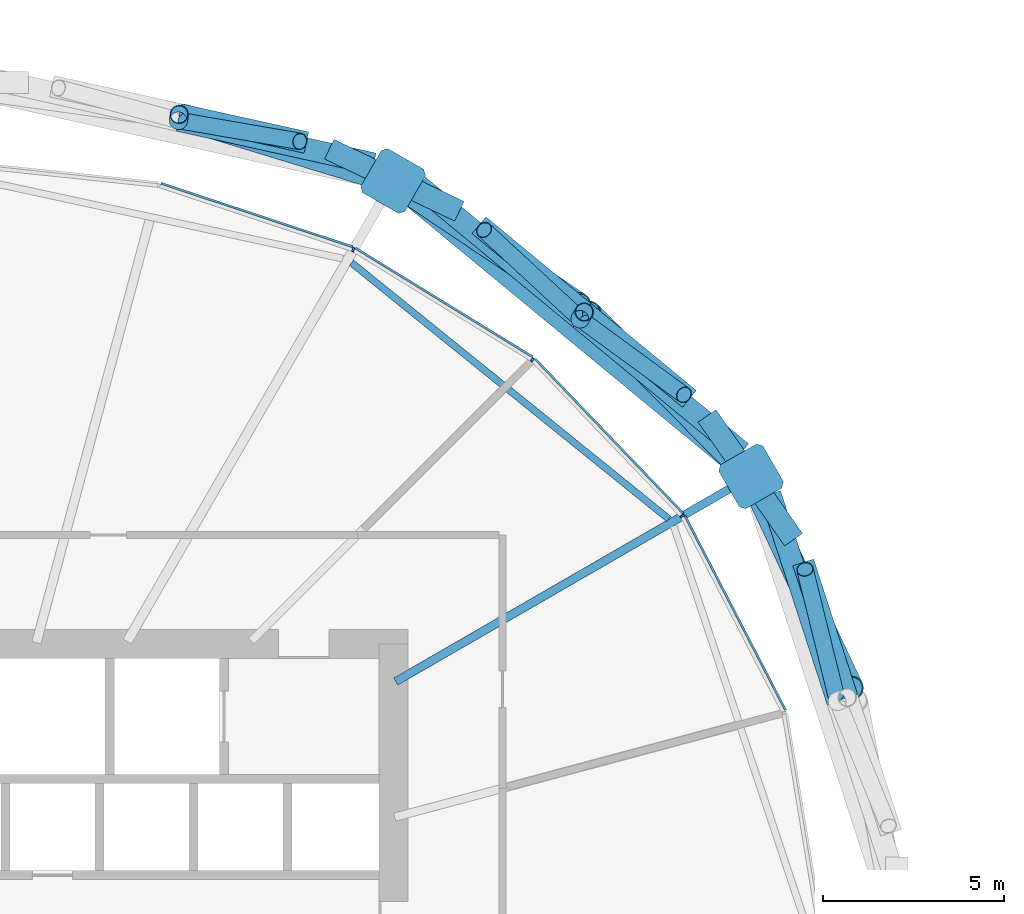
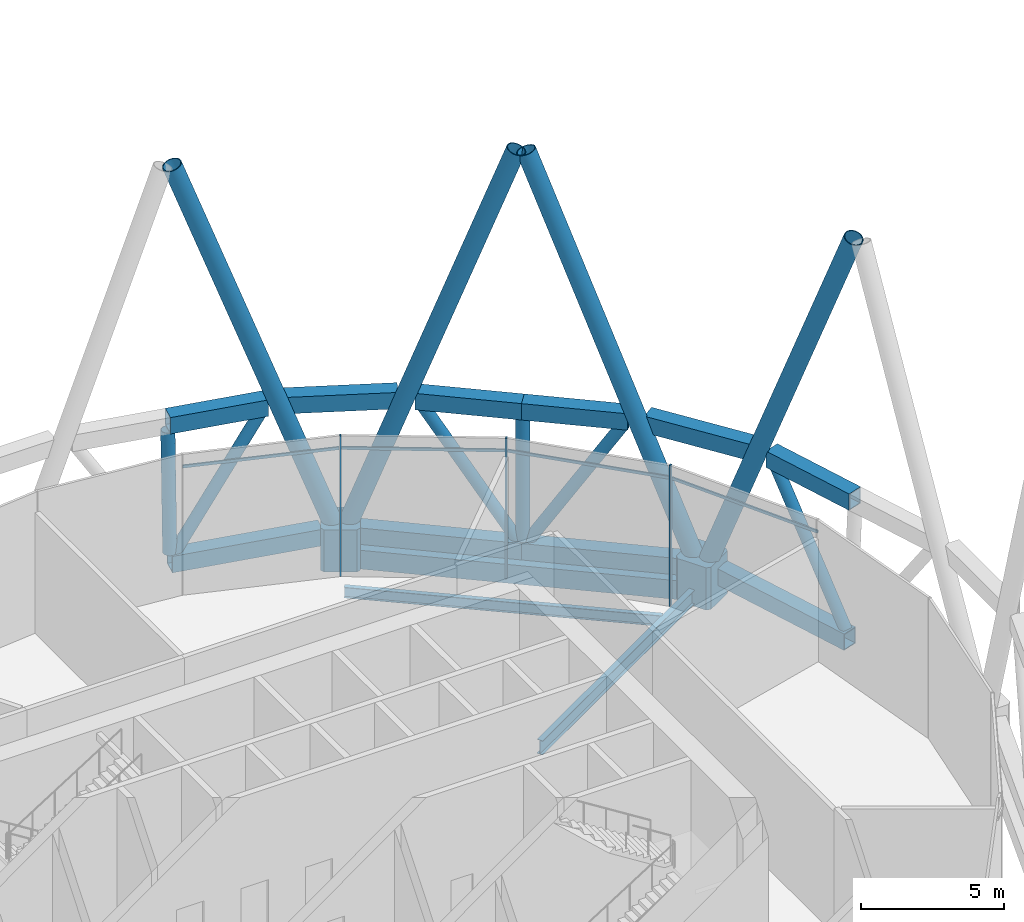
# One storey, part 14 of 33: 29 members, 3 beams, 1 element without a shape of its own.
"""IFC4 building model written with IfcOpenShell, lengths in metres."""

from ifc_helpers import new_model, si_unit, direction, frame, origin, origin_2d, place, context, subcontext, project, spatial, polyline, rectangle, hollow_rectangle, hollow_circle, i_section, outline, extrude, material, material_profile, profile_set, type_object, element, aggregate, save


model = new_model("IFC4")

# Units and contexts
model_context = context("Model", 3, precision=1e-05, world=origin(), true_north=direction((0.0, 1.0)))
body_context = subcontext(model_context, "Body", "Model", "MODEL_VIEW")
ifc_project = project(units=[si_unit("LENGTHUNIT", "METRE"), si_unit("AREAUNIT", "SQUARE_METRE"), si_unit("VOLUMEUNIT", "CUBIC_METRE"), si_unit("PLANEANGLEUNIT", "RADIAN"), si_unit("MASSUNIT", "GRAM", prefix="KILO")], contexts=[model_context])

# Site, building, storey
site_placement = place(None, origin())
site = spatial("IfcSite", under=ifc_project, at=site_placement, CompositionType="ELEMENT")
building_placement = place(site_placement, origin())
building = spatial("IfcBuilding", under=site, at=building_placement, Name="Rimbun Link Towers", CompositionType="ELEMENT")
storey_placement = place(building_placement, frame((0.0, 0.0, 75.60009765625)))
storey = spatial("IfcBuildingStorey", under=building, at=storey_placement, Name="L18", CompositionType="ELEMENT", Elevation=75.60009765625)

# Members
ifc_material_1 = material(Name="Steel S460N", Category="steel")
ifc_material_profile_1 = material_profile(ifc_material_1, hollow_rectangle(XDim=0.60009765625, YDim=0.699951171875, WallThickness=0.034912109375, at=origin_2d()), Name="Belt truss chord BOX 600x700x35")
ifc_profile_set_1 = profile_set([ifc_material_profile_1], Name="Steel S460N")
member_type_1 = type_object("IfcMemberType", Name="Belt truss chord BOX 600x700x35", PredefinedType="CHORD", material=ifc_profile_set_1)
member_1_placement = place(storey_placement, frame((-8.724609375, 10.875, 6.0), z_axis=(-0.57337572411, 0.819292547874, 0.0), x_axis=(-0.819292547874, -0.57337572411, 0.0)))
element("IfcMember", 1, at=member_1_placement, inside=storey, type_object=member_type_1, Name="Belt truss chord T1 L18 top 01", PredefinedType="CHORD", context=body_context, shape_type="SweptSolid", body=[
    extrude(hollow_rectangle(XDim=0.60009765625, YDim=0.699951171875, WallThickness=0.034912109375, at=origin_2d()), origin(), (0.0, 0.0, 1.0), 4.16162109375),
])
member_2_placement = place(storey_placement, frame((-17.9375, 19.927734375, 6.0), z_axis=(-0.902615066125, 0.430448652459, 0.0), x_axis=(-0.430448652459, -0.902615066125, 0.0)))
element("IfcMember", 2, at=member_2_placement, inside=storey, type_object=member_type_1, Name="Belt truss chord T1 L18 top 02", PredefinedType="CHORD", context=body_context, shape_type="SweptSolid", body=[
    extrude(hollow_rectangle(XDim=0.60009765625, YDim=0.699951171875, WallThickness=0.034912109375, at=origin_2d()), origin(), (0.0, 0.0, 1.0), 3.9736328125),
])
member_3_placement = place(storey_placement, frame((-7.51171875, 6.417236328125, 0.18994140625), z_axis=(-0.309075966381, 0.951037353107, 0.0), x_axis=(-0.951037353107, -0.309075966381, 0.0)))
element("IfcMember", 3, at=member_3_placement, inside=storey, type_object=member_type_1, Name="Belt truss chord T1 L18 bottom 01", PredefinedType="CHORD", context=body_context, shape_type="SweptSolid", body=[
    extrude(hollow_rectangle(XDim=0.60009765625, YDim=0.699951171875, WallThickness=0.034912109375, at=origin_2d()), origin(), (0.0, 0.0, 1.0), 6.0087890625),
])
member_4_placement = place(storey_placement, frame((-7.245849609375, 6.521728515625, 6.0), z_axis=(-0.309111447647, 0.951025821381, 0.0), x_axis=(-0.951025821381, -0.309111447647, 0.0)))
element("IfcMember", 4, at=member_4_placement, inside=storey, type_object=member_type_1, Name="Belt truss chord T1 L18 top 13", PredefinedType="CHORD", context=body_context, shape_type="SweptSolid", body=[
    extrude(hollow_rectangle(XDim=0.60009765625, YDim=0.699951171875, WallThickness=0.034912109375, at=origin_2d()), origin(), (0.0, 0.0, 1.0), 3.916015625),
])
member_5_placement = place(storey_placement, frame((-10.154052734375, 13.285888671875, 0.18994140625), z_axis=(-0.771283994621, 0.636491162265, 0.0), x_axis=(-0.636491162265, -0.771283994621, 0.0)))
element("IfcMember", 5, at=member_5_placement, inside=storey, type_object=member_type_1, Name="Belt truss chord T1 L18 bottom 02", PredefinedType="CHORD", context=body_context, shape_type="SweptSolid", body=[
    extrude(hollow_rectangle(XDim=0.60009765625, YDim=0.699951171875, WallThickness=0.034912109375, at=origin_2d()), origin(), (0.0, 0.0, 1.0), 5.7724609375),
])
member_6_placement = place(storey_placement, frame((-14.606201171875, 16.9599609375, 0.18994140625), z_axis=(-0.77126685936, 0.636511925775, 0.0), x_axis=(-0.636511925775, -0.77126685936, 0.0)))
element("IfcMember", 6, at=member_6_placement, inside=storey, type_object=member_type_1, Name="Belt truss chord T1 L18 bottom 03", PredefinedType="CHORD", context=body_context, shape_type="SweptSolid", body=[
    extrude(hollow_rectangle(XDim=0.60009765625, YDim=0.699951171875, WallThickness=0.034912109375, at=origin_2d()), origin(), (0.0, 0.0, 1.0), 5.772216796875),
])
member_7_placement = place(storey_placement, frame((-11.595947265625, 14.75537109375, 6.0), z_axis=(-0.771272091865, 0.636505585451, 0.0), x_axis=(-0.636505585451, -0.771272091865, 0.0)))
element("IfcMember", 7, at=member_7_placement, inside=storey, type_object=member_type_1, Name="Belt truss chord T1 L18 top 14", PredefinedType="CHORD", context=body_context, shape_type="SweptSolid", body=[
    extrude(hollow_rectangle(XDim=0.60009765625, YDim=0.699951171875, WallThickness=0.034912109375, at=origin_2d()), origin(), (0.0, 0.0, 1.0), 3.7607421875),
])
member_8_placement = place(storey_placement, frame((-14.49658203125, 17.149169921875, 6.0), z_axis=(-0.771298390091, 0.636473717795, 0.0), x_axis=(-0.636473717795, -0.771298390091, 0.0)))
element("IfcMember", 8, at=member_8_placement, inside=storey, type_object=member_type_1, Name="Belt truss chord T1 L18 top 15", PredefinedType="CHORD", context=body_context, shape_type="SweptSolid", body=[
    extrude(hollow_rectangle(XDim=0.60009765625, YDim=0.699951171875, WallThickness=0.034912109375, at=origin_2d()), origin(), (0.0, 0.0, 1.0), 3.760986328125),
])
member_9_placement = place(storey_placement, frame((-20.297607421875, 21.23876953125, 0.18994140625), z_axis=(-0.976355546465, 0.216170874279, 0.0), x_axis=(-0.216170874279, -0.976355546465, 0.0)))
element("IfcMember", 9, at=member_9_placement, inside=storey, type_object=member_type_1, Name="Belt truss chord T1 L18 bottom 04", PredefinedType="CHORD", context=body_context, shape_type="SweptSolid", body=[
    extrude(hollow_rectangle(XDim=0.60009765625, YDim=0.699951171875, WallThickness=0.034912109375, at=origin_2d()), origin(), (0.0, 0.0, 1.0), 5.513671875),
])
member_10_placement = place(storey_placement, frame((-22.1552734375, 21.82177734375, 6.0), z_axis=(-0.976356305139, 0.216167447632, 0.0), x_axis=(-0.216167447632, -0.976356305139, 0.0)))
element("IfcMember", 10, at=member_10_placement, inside=storey, type_object=member_type_1, Name="Belt truss chord T1 L18 top 16", PredefinedType="CHORD", context=body_context, shape_type="SweptSolid", body=[
    extrude(hollow_rectangle(XDim=0.60009765625, YDim=0.699951171875, WallThickness=0.034912109375, at=origin_2d()), origin(), (0.0, 0.0, 1.0), 3.591552734375),
])
ifc_material_2 = material(Name="Steel S355J2H", Category="steel")
ifc_material_profile_2 = material_profile(ifc_material_2, hollow_circle(Radius=0.228515625, WallThickness=0.01611328125, at=origin_2d()), Name="Belt truss diagonal CHS 457x16")
ifc_profile_set_2 = profile_set([ifc_material_profile_2], Name="Steel S355J2H")
member_type_2 = type_object("IfcMemberType", Name="Belt truss diagonal CHS 457x16", PredefinedType="BRACE", material=ifc_profile_set_2)
member_11_placement = place(storey_placement, frame((-7.55859375, 6.608154296875, 0.4794921875), z_axis=(-0.134549791341, 0.545227885807, 0.827419425798), x_axis=(-0.970874258335, -0.23958959598, 0.0)))
element("IfcMember", 11, at=member_11_placement, inside=storey, type_object=member_type_2, Name="Belt truss diagonal T1 L18 01", PredefinedType="BRACE", context=body_context, shape_type="SweptSolid", body=[
    extrude(hollow_circle(Radius=0.228515625, WallThickness=0.01611328125, at=origin_2d()), origin(), (0.0, 0.0, 1.0), 6.32177734375),
])
member_12_placement = place(storey_placement, frame((-14.45361328125, 16.84814453125, 0.484375), z_axis=(0.435957741043, -0.319295764311, 0.841422048034), x_axis=(0.590874279334, 0.806763649417, 0.0)))
element("IfcMember", 12, at=member_12_placement, inside=storey, type_object=member_type_2, Name="Belt truss diagonal T1 L18 02", PredefinedType="BRACE", context=body_context, shape_type="SweptSolid", body=[
    extrude(hollow_circle(Radius=0.228515625, WallThickness=0.01611328125, at=origin_2d()), origin(), (0.0, 0.0, 1.0), 6.204833984375),
])
member_13_placement = place(storey_placement, frame((-14.746826171875, 17.090087890625, 0.482666015625), z_axis=(-0.401951302505, 0.371961356102, 0.836707774543), x_axis=(-0.679195869776, -0.733957063103, 0.0)))
element("IfcMember", 13, at=member_13_placement, inside=storey, type_object=member_type_2, Name="Belt truss diagonal T1 L18 03", PredefinedType="BRACE", context=body_context, shape_type="SweptSolid", body=[
    extrude(hollow_circle(Radius=0.228515625, WallThickness=0.01611328125, at=origin_2d()), origin(), (0.0, 0.0, 1.0), 6.243896484375),
])
member_14_placement = place(storey_placement, frame((-25.5, 22.3994140625, 0.48779296875), z_axis=(0.516682153979, -0.089230238491, 0.851514836217), x_axis=(0.170179375016, 0.985413101354, 0.0)))
element("IfcMember", 14, at=member_14_placement, inside=storey, type_object=member_type_2, Name="Belt truss diagonal T1 L18 04", PredefinedType="BRACE", context=body_context, shape_type="SweptSolid", body=[
    extrude(hollow_circle(Radius=0.228515625, WallThickness=0.01611328125, at=origin_2d()), origin(), (0.0, 0.0, 1.0), 6.123291015625),
])
ifc_material_3 = material(Name="Steel S355J2H", Category="steel")
ifc_material_profile_3 = material_profile(ifc_material_3, hollow_circle(Radius=0.25390625, WallThickness=0.02001953125, at=origin_2d()), Name="Belt truss strut CHS 508x20")
ifc_profile_set_3 = profile_set([ifc_material_profile_3], Name="Steel S355J2H")
member_type_3 = type_object("IfcMemberType", Name="Belt truss strut CHS 508x20", PredefinedType="STRUT", material=ifc_profile_set_3)
member_15_placement = place(storey_placement, frame((-14.606201171875, 16.9599609375, 0.539794921875), z_axis=(0.021431822526, 0.036992566721, 0.999085695519), x_axis=(-0.865273365949, 0.501300311369, 0.0)))
element("IfcMember", 15, at=member_15_placement, inside=storey, type_object=member_type_3, Name="Belt truss strut T1 L18 01", PredefinedType="STRUT", context=body_context, shape_type="SweptSolid", body=[
    extrude(hollow_circle(Radius=0.25390625, WallThickness=0.02001953125, at=origin_2d()), origin(), (0.0, 0.0, 1.0), 5.11474609375),
])
member_16_placement = place(storey_placement, frame((-25.680908203125, 22.4306640625, 0.539794921875), z_axis=(0.003724504363, 0.032756538375, 0.999456420891), x_axis=(-0.99359786667, 0.112974684548, 0.0)))
element("IfcMember", 16, at=member_16_placement, inside=storey, type_object=member_type_3, Name="Belt truss strut T1 L18 02", PredefinedType="STRUT", context=body_context, shape_type="SweptSolid", body=[
    extrude(hollow_circle(Radius=0.25390625, WallThickness=0.02001953125, at=origin_2d()), origin(), (0.0, 0.0, 1.0), 5.11279296875),
])

# Curtain wall, members
ifc_material_4 = material(Name="Aluminium 6063-T6 louvre wall", Category="aluminium")
curtain_wall_type = type_object("IfcCurtainWallType", Name="CW6 plant floor louvre wall", PredefinedType="NOTDEFINED", material=ifc_material_4)
curtain_wall_placement = place(storey_placement, origin())
curtain_wall = element("IfcCurtainWall", 17, at=curtain_wall_placement, inside=storey, type_object=curtain_wall_type, Name="CW6 L18 T1", PredefinedType="NOTDEFINED")
ifc_material_5 = material(Name="Aluminium 6063-T6", Category="aluminium")
ifc_material_profile_4 = material_profile(ifc_material_5, rectangle(XDim=0.1201171875, YDim=0.06005859375, at=origin_2d()), Name="MULLION 60X120")
ifc_profile_set_4 = profile_set([ifc_material_profile_4], Name="Aluminium 6063-T6")
member_type_4 = type_object("IfcMemberType", Name="CW6 mullion 60X120", PredefinedType="MULLION", material=ifc_profile_set_4)
member_17_placement = place(storey_placement, frame((-11.79443359375, 11.528076171875, 0.0), z_axis=(0.0, 0.0, 1.0), x_axis=(0.813348706605, 0.581776487548, 0.0)))
member_17 = element("IfcMember", 18, at=member_17_placement, type_object=member_type_4, Name="CW6 mullion", PredefinedType="MULLION", context=body_context, shape_type="SweptSolid", body=[
    extrude(rectangle(XDim=0.1201171875, YDim=0.06005859375, at=origin_2d()), origin(), (0.0, 0.0, 1.0), 6.0),
])
member_18_placement = place(storey_placement, frame((-15.923828125, 15.835205078125, 0.0), z_axis=(0.0, 0.0, 1.0), x_axis=(0.627665460288, 0.778483185407, 0.0)))
member_18 = element("IfcMember", 19, at=member_18_placement, type_object=member_type_4, Name="CW6 mullion", PredefinedType="MULLION", context=body_context, shape_type="SweptSolid", body=[
    extrude(rectangle(XDim=0.1201171875, YDim=0.06005859375, at=origin_2d()), origin(), (0.0, 0.0, 1.0), 6.0),
])
member_19_placement = place(storey_placement, frame((-20.86279296875, 18.867919921875, 0.0), z_axis=(0.0, 0.0, 1.0), x_axis=(0.421707494274, 0.90673192801, 0.0)))
member_19 = element("IfcMember", 20, at=member_19_placement, type_object=member_type_4, Name="CW6 mullion", PredefinedType="MULLION", context=body_context, shape_type="SweptSolid", body=[
    extrude(rectangle(XDim=0.1201171875, YDim=0.06005859375, at=origin_2d()), origin(), (0.0, 0.0, 1.0), 6.0),
])
ifc_material_6 = material(Name="Aluminium 6063-T6", Category="aluminium")
ifc_material_profile_5 = material_profile(ifc_material_6, rectangle(XDim=0.06005859375, YDim=0.1201171875, at=origin_2d()), Name="TRANSOM 60X120")
ifc_profile_set_5 = profile_set([ifc_material_profile_5], Name="Aluminium 6063-T6")
member_type_5 = type_object("IfcMemberType", Name="CW6 transom 60X120", PredefinedType="USERDEFINED", material=ifc_profile_set_5)
member_20_placement = place(storey_placement, frame((-11.714111328125, 11.526123046875, 5.39990234375), z_axis=(0.459542963883, -0.888155540627, 0.0), x_axis=(0.888155540627, 0.459542963883, 0.0)))
member_20 = element("IfcMember", 21, at=member_20_placement, type_object=member_type_5, Name="CW6 transom", ObjectType="TRANSOM", PredefinedType="USERDEFINED", context=body_context, shape_type="SweptSolid", body=[
    extrude(rectangle(XDim=0.06005859375, YDim=0.1201171875, at=origin_2d()), origin(), (0.0, 0.0, 1.0), 6.030517578125),
])
member_21_placement = place(storey_placement, frame((-15.846923828125, 15.85693359375, 5.39990234375), z_axis=(0.692050275871, -0.721849302602, 0.0), x_axis=(0.721849302602, 0.692050275871, 0.0)))
member_21 = element("IfcMember", 22, at=member_21_placement, type_object=member_type_5, Name="CW6 transom", ObjectType="TRANSOM", PredefinedType="USERDEFINED", context=body_context, shape_type="SweptSolid", body=[
    extrude(rectangle(XDim=0.06005859375, YDim=0.1201171875, at=origin_2d()), origin(), (0.0, 0.0, 1.0), 5.890625),
])
member_22_placement = place(storey_placement, frame((-20.79443359375, 18.908447265625, 5.39990234375), z_axis=(0.852195594829, -0.523223344427, 0.0), x_axis=(0.523223344427, 0.852195594829, 0.0)))
member_22 = element("IfcMember", 23, at=member_22_placement, type_object=member_type_5, Name="CW6 transom", ObjectType="TRANSOM", PredefinedType="USERDEFINED", context=body_context, shape_type="SweptSolid", body=[
    extrude(rectangle(XDim=0.06005859375, YDim=0.1201171875, at=origin_2d()), origin(), (0.0, 0.0, 1.0), 5.72119140625),
])
member_23_placement = place(storey_placement, frame((-26.164794921875, 20.698974609375, 5.39990234375), z_axis=(0.949238297385, -0.314557871904, 0.0), x_axis=(0.314557871904, 0.949238297385, 0.0)))
member_23 = element("IfcMember", 24, at=member_23_placement, type_object=member_type_5, Name="CW6 transom", ObjectType="TRANSOM", PredefinedType="USERDEFINED", context=body_context, shape_type="SweptSolid", body=[
    extrude(rectangle(XDim=0.06005859375, YDim=0.1201171875, at=origin_2d()), origin(), (0.0, 0.0, 1.0), 5.572021484375),
])
aggregate(curtain_wall, [member_17, member_18, member_19, member_20, member_21, member_22, member_23])

# Members
ifc_material_7 = material(Name="Steel S460NH", Category="steel")
ifc_material_profile_6 = material_profile(ifc_material_7, hollow_circle(Radius=0.355712890625, WallThickness=0.031982421875, at=origin_2d()), Name="Diagrid diagonal CHS 711x32")
ifc_profile_set_6 = profile_set([ifc_material_profile_6], Name="Steel S460NH")
member_type_6 = type_object("IfcMemberType", Name="Diagrid diagonal CHS 711x32", PredefinedType="BRACE", material=ifc_profile_set_6)
member_24_placement = place(storey_placement, frame((-9.819091796875, 12.456787109375, 0.467041015625), z_axis=(0.151480709948, -0.322523406583, 0.934361946314), x_axis=(0.905137422399, 0.425119096929, 0.0)))
element("IfcMember", 25, at=member_24_placement, inside=storey, type_object=member_type_6, Name="Diagrid diagonal T1 L18-L22 02a", PredefinedType="BRACE", context=body_context, shape_type="SweptSolid", body=[
    extrude(hollow_circle(Radius=0.355712890625, WallThickness=0.031982421875, at=origin_2d()), origin(), (0.0, 0.0, 1.0), 17.622314453125),
])
member_25_placement = place(storey_placement, frame((-10.01904296875, 12.742431640625, 0.468017578125), z_axis=(-0.248394646065, 0.248602891073, 0.936214025934), x_axis=(-0.707403001156, -0.706810437074, 0.0)))
element("IfcMember", 26, at=member_25_placement, inside=storey, type_object=member_type_6, Name="Diagrid diagonal T1 L18-L22 02b", PredefinedType="BRACE", context=body_context, shape_type="SweptSolid", body=[
    extrude(hollow_circle(Radius=0.355712890625, WallThickness=0.031982421875, at=origin_2d()), origin(), (0.0, 0.0, 1.0), 17.585693359375),
])
member_26_placement = place(storey_placement, frame((-19.621337890625, 20.666748046875, 0.4697265625), z_axis=(0.28366520323, -0.190308976092, 0.939849214553), x_axis=(0.557127549683, 0.830426934405, 0.0)))
element("IfcMember", 27, at=member_26_placement, inside=storey, type_object=member_type_6, Name="Diagrid diagonal T1 L18-L22 04a", PredefinedType="BRACE", context=body_context, shape_type="SweptSolid", body=[
    extrude(hollow_circle(Radius=0.355712890625, WallThickness=0.031982421875, at=origin_2d()), origin(), (0.0, 0.0, 1.0), 17.513671875),
])
member_27_placement = place(storey_placement, frame((-19.923828125, 20.81103515625, 0.470703125), z_axis=(-0.321408897175, 0.098106206301, 0.941844728765), x_axis=(-0.291940729654, -0.956436412089, 0.0)))
element("IfcMember", 28, at=member_27_placement, inside=storey, type_object=member_type_6, Name="Diagrid diagonal T1 L18-L22 04b", PredefinedType="BRACE", context=body_context, shape_type="SweptSolid", body=[
    extrude(hollow_circle(Radius=0.355712890625, WallThickness=0.031982421875, at=origin_2d()), origin(), (0.0, 0.0, 1.0), 17.474365234375),
])
ifc_material_8 = material(Name="Cast steel G20Mn5+QT, Rp0.2 300 MPa", Category="steel")
ifc_material_profile_7 = material_profile(ifc_material_8, outline(polyline([(0.699951171875, -0.570068359375), (0.699951171875, 0.570068359375), (0.570068359375, 0.699951171875), (-0.570068359375, 0.699951171875), (-0.699951171875, 0.570068359375), (-0.699951171875, -0.570068359375), (-0.570068359375, -0.699951171875), (0.570068359375, -0.699951171875), (0.699951171875, -0.570068359375)])), Name="NODE 1400x1400")
ifc_profile_set_7 = profile_set([ifc_material_profile_7], Name="Cast steel G20Mn5+QT, Rp0.2 300 MPa")
member_type_7 = type_object("IfcMemberType", Name="Diagrid node cast 1400", PredefinedType="USERDEFINED", material=ifc_profile_set_7)
for number, where, z_axis, x_axis, name in (
    (29, (-9.894775390625, 12.6181640625, -0.900146484375), (0.0, 0.0, 1.0), (0.866025403784, 0.5, 0.0), "Diagrid node L18 02"),
    (30, (-19.76318359375, 20.761962890625, -0.900146484375), (0.0, 0.0, 1.0), (0.5, 0.866025403784, 0.0), "Diagrid node L18 04"),
):
    element("IfcMember", number, at=place(storey_placement, frame(where, z_axis=z_axis, x_axis=x_axis)), inside=storey, type_object=member_type_7, Name=name, ObjectType="Diagrid node", PredefinedType="USERDEFINED", context=body_context, shape_type="SweptSolid", body=[
        extrude(outline(polyline([(0.699951171875, -0.570068359375), (0.699951171875, 0.570068359375), (0.570068359375, 0.699951171875), (-0.570068359375, 0.699951171875), (-0.699951171875, 0.570068359375), (-0.699951171875, -0.570068359375), (-0.570068359375, -0.699951171875), (0.570068359375, -0.699951171875), (0.699951171875, -0.570068359375)])), origin(), (0.0, 0.0, 1.0), 1.800048828125),
    ])

# Beams
ifc_material_9 = material(Name="Steel S355J2", Category="steel")
ifc_material_profile_8 = material_profile(ifc_material_9, hollow_rectangle(XDim=0.60009765625, YDim=0.800048828125, WallThickness=0.0400390625, at=origin_2d()), Name="Exoskeleton ring girder BOX 600x800x40")
ifc_profile_set_8 = profile_set([ifc_material_profile_8], Name="Steel S355J2")
beam_type_1 = type_object("IfcBeamType", Name="Exoskeleton ring girder BOX 600x800x40", PredefinedType="BEAM", material=ifc_profile_set_8)
beam_1_placement = place(storey_placement, frame((-10.434814453125, 13.063720703125, -0.56005859375), z_axis=(-0.771273612838, 0.636503742439, 0.0), x_axis=(-0.636503742439, -0.771273612838, 0.0)))
element("IfcBeam", 31, at=beam_1_placement, inside=storey, type_object=beam_type_1, Name="Exoskeleton ring girder L18 01", PredefinedType="BEAM", context=body_context, shape_type="SweptSolid", body=[
    extrude(hollow_rectangle(XDim=0.60009765625, YDim=0.800048828125, WallThickness=0.0400390625, at=origin_2d()), origin(), (0.0, 0.0, 1.0), 11.39453125),
])
ifc_material_10 = material(Name="Steel S355J2", Category="steel")
ifc_material_profile_9 = material_profile(ifc_material_10, i_section(OverallWidth=0.18994140625, OverallDepth=0.453369140625, WebThickness=0.008544921875, FlangeThickness=0.0126953125, at=origin_2d()), Name="UB 457x191x67")
ifc_profile_set_9 = profile_set([ifc_material_profile_9], Name="Steel S355J2")
beam_type_2 = type_object("IfcBeamType", Name="UB 457x191x67", PredefinedType="BEAM", material=ifc_profile_set_9)
beam_2_placement = place(storey_placement, frame((-12.161865234375, 11.441650390625, -0.4267578125), z_axis=(-0.777964854273, 0.628307795206, 0.0), x_axis=(-0.628307795206, -0.777964854273, 0.0)))
element("IfcBeam", 32, at=beam_2_placement, inside=storey, type_object=beam_type_2, Name="Edge beam T1 L18 02-04", PredefinedType="BEAM", context=body_context, shape_type="SweptSolid", body=[
    extrude(i_section(OverallWidth=0.18994140625, OverallDepth=0.453369140625, WebThickness=0.008544921875, FlangeThickness=0.0126953125, at=origin_2d()), origin(), (0.0, 0.0, 1.0), 11.244873046875),
])
ifc_material_11 = material(Name="Steel S355J2", Category="steel")
ifc_material_profile_10 = material_profile(ifc_material_11, i_section(OverallWidth=0.2275390625, OverallDepth=0.6025390625, WebThickness=0.010498046875, FlangeThickness=0.014892578125, at=origin_2d()), Name="UB 610x229x101")
ifc_profile_set_10 = profile_set([ifc_material_profile_10], Name="Steel S355J2")
beam_type_3 = type_object("IfcBeamType", Name="UB 610x229x101", PredefinedType="BEAM", material=ifc_profile_set_10)
beam_3_placement = place(storey_placement, frame((-19.692138671875, 6.96142578125, -0.50146484375), z_axis=(0.866014130296, 0.500019525747, 0.0), x_axis=(-0.500019525747, 0.866014130296, 0.0)))
element("IfcBeam", 33, at=beam_3_placement, inside=storey, type_object=beam_type_3, Name="Radial beam T1 L18 02", PredefinedType="BEAM", context=body_context, shape_type="SweptSolid", body=[
    extrude(i_section(OverallWidth=0.2275390625, OverallDepth=0.6025390625, WebThickness=0.010498046875, FlangeThickness=0.014892578125, at=origin_2d()), origin(), (0.0, 0.0, 1.0), 10.81298828125),
])

save(model, "model.ifc")
